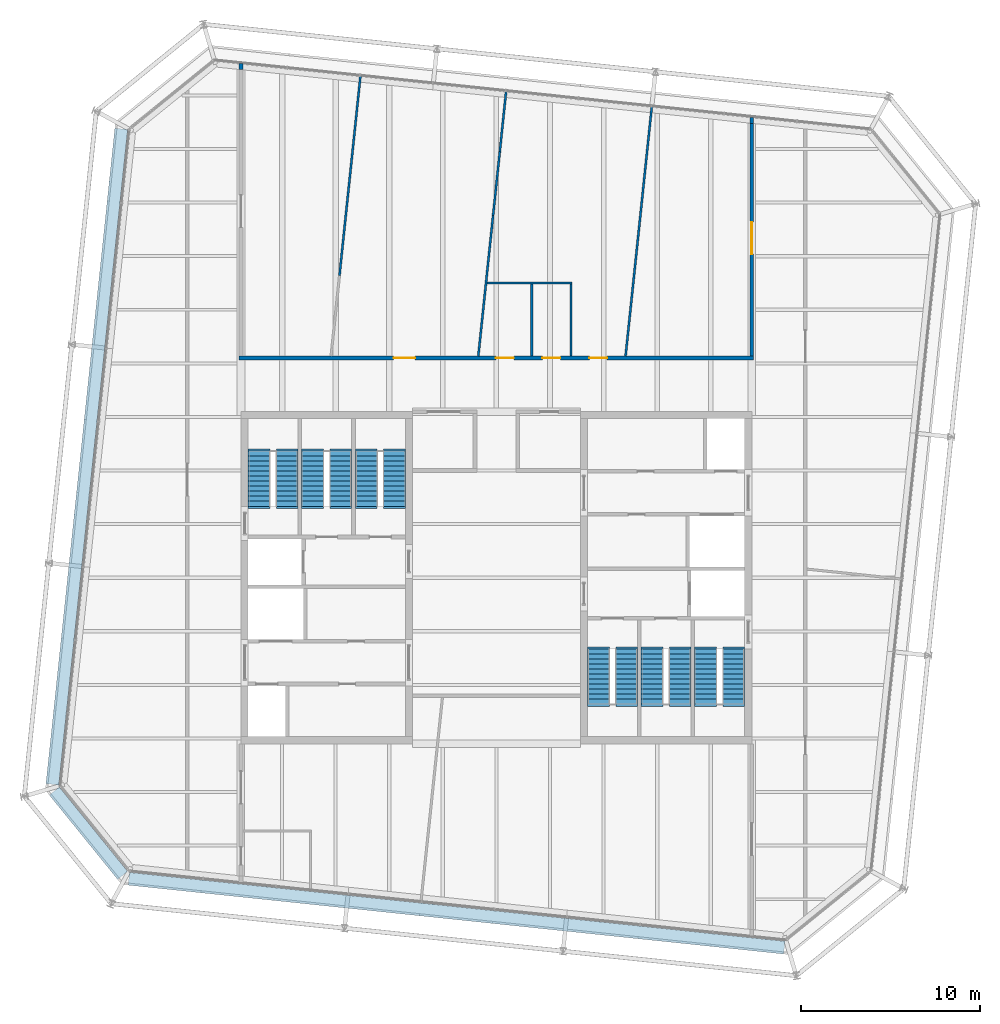
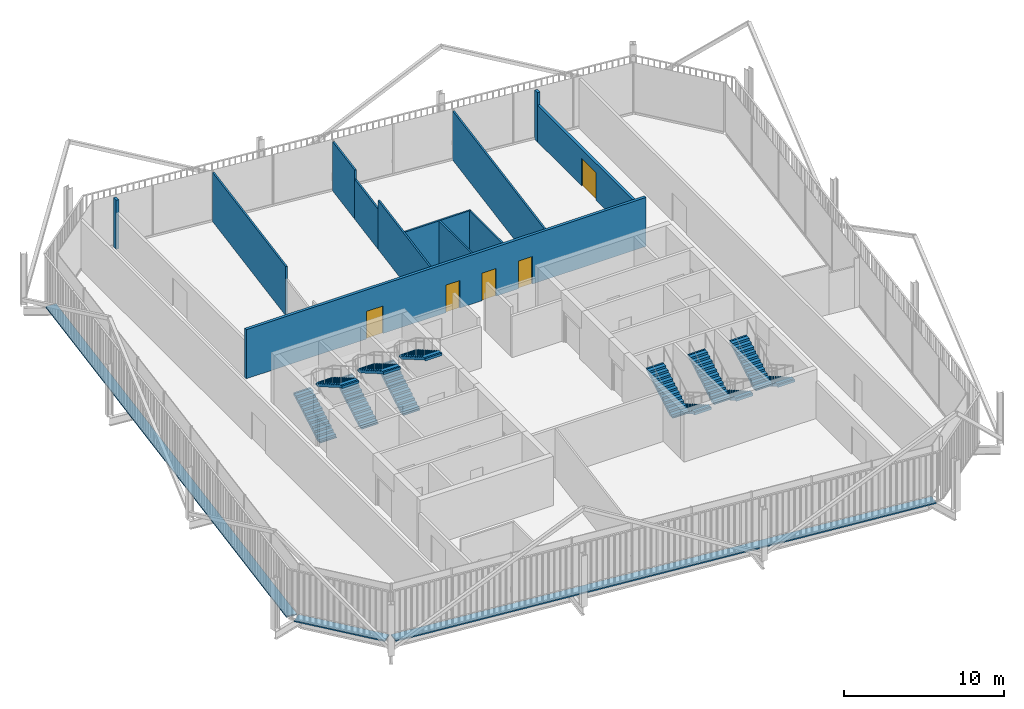
# One storey, part 19 of 21: 12 stair flights, 12 walls, 5 doors, 3 discrete accessories, 5 openings, 6 elements without a shape of their own.
"""IFC4 building model written with IfcOpenShell, lengths in metres."""

from ifc_helpers import new_model, si_unit, direction, frame, frame_2d, origin, origin_2d, place, context, subcontext, project, spatial, polyline, rectangle, outline, extrude, material, layer, layer_set, type_object, element, fill, aggregate, save


model = new_model("IFC4")

# Units and contexts
model_context = context("Model", 3, precision=1e-05, world=origin(), true_north=direction((0.0, 1.0)))
body_context = subcontext(model_context, "Body", "Model", "MODEL_VIEW")
ifc_project = project(units=[si_unit("LENGTHUNIT", "METRE"), si_unit("AREAUNIT", "SQUARE_METRE"), si_unit("VOLUMEUNIT", "CUBIC_METRE"), si_unit("PLANEANGLEUNIT", "RADIAN"), si_unit("MASSUNIT", "GRAM", prefix="KILO")], contexts=[model_context])

# Site, building, storey
site_placement = place(None, origin())
site = spatial("IfcSite", under=ifc_project, at=site_placement, CompositionType="ELEMENT")
building_placement = place(site_placement, origin())
building = spatial("IfcBuilding", under=site, at=building_placement, Name="Millrace Tower", CompositionType="ELEMENT")
storey_placement = place(building_placement, frame((0.0, 0.0, 283.800048828125)))
storey = spatial("IfcBuildingStorey", under=building, at=storey_placement, Name="L65", CompositionType="ELEMENT", Elevation=283.800048828125)

# Wall, openings, doors
ifc_material_1 = material(Name="Masonry partition, fire-rated", Category="masonry")
ifc_layer_1 = layer(ifc_material_1, 0.199951171875)
ifc_layer_set_1 = layer_set([ifc_layer_1], Name="Masonry partition, fire-rated")
wall_type_1 = type_object("IfcWallType", Name="Corridor wall 200", PredefinedType="PARTITIONING", material=ifc_layer_set_1)
wall_1_placement = place(storey_placement, frame((-14.39990234375, 12.300048828125, 0.0), z_axis=(0.0, 0.0, 1.0), x_axis=(1.0, 0.0, 0.0)))
wall_1 = element("IfcWall", 1, at=wall_1_placement, inside=storey, type_object=wall_type_1, Name="Corridor wall L65", PredefinedType="PARTITIONING", context=body_context, shape_type="SweptSolid", body=[
    extrude(rectangle(XDim=28.7998046875, YDim=0.199951171875, at=frame_2d((14.39990234375, 0.0))), origin(), (0.0, 0.0, 1.0), 3.739990234375),
])
opening_1_placement = place(wall_1_placement, frame((8.651611328125, 0.0, 0.0)))
opening_1 = element("IfcOpeningElement", 2, at=opening_1_placement, cuts=wall_1, Name="Opening 65-P005", PredefinedType="OPENING", context=body_context, shape_type="SweptSolid", body=[
    extrude(rectangle(XDim=1.199951171875, YDim=2.10009765625, at=frame_2d((0.60009765625, 1.050048828125))), frame((0.0, 0.10986328125, 0.0), z_axis=(0.0, -1.0, 0.0), x_axis=(1.0, 0.0, 0.0)), (0.0, 0.0, 1.0), 0.219970703125),
])
opening_2_placement = place(wall_1_placement, frame((19.596435546875, 0.0, 0.0)))
opening_2 = element("IfcOpeningElement", 3, at=opening_2_placement, cuts=wall_1, Name="Opening 65-P006", PredefinedType="OPENING", context=body_context, shape_type="SweptSolid", body=[
    extrude(rectangle(XDim=1.0, YDim=2.10009765625, at=frame_2d((0.5, 1.050048828125))), frame((0.0, 0.10986328125, 0.0), z_axis=(0.0, -1.0, 0.0), x_axis=(1.0, 0.0, 0.0)), (0.0, 0.0, 1.0), 0.219970703125),
])
opening_3_placement = place(wall_1_placement, frame((14.3740234375, 0.0, 0.0)))
opening_3 = element("IfcOpeningElement", 4, at=opening_3_placement, cuts=wall_1, Name="Opening 65-P007", PredefinedType="OPENING", context=body_context, shape_type="SweptSolid", body=[
    extrude(rectangle(XDim=1.0, YDim=2.10009765625, at=frame_2d((0.5, 1.050048828125))), frame((0.0, 0.10986328125, 0.0), z_axis=(0.0, -1.0, 0.0), x_axis=(1.0, 0.0, 0.0)), (0.0, 0.0, 1.0), 0.219970703125),
])
opening_4_placement = place(wall_1_placement, frame((16.97412109375, 0.0, 0.0)))
opening_4 = element("IfcOpeningElement", 5, at=opening_4_placement, cuts=wall_1, Name="Opening 65-P008", PredefinedType="OPENING", context=body_context, shape_type="SweptSolid", body=[
    extrude(rectangle(XDim=1.0, YDim=2.10009765625, at=frame_2d((0.5, 1.050048828125))), frame((0.0, 0.10986328125, 0.0), z_axis=(0.0, -1.0, 0.0), x_axis=(1.0, 0.0, 0.0)), (0.0, 0.0, 1.0), 0.219970703125),
])
ifc_material_2 = material(Name="Steel door set, fire-rated", Category="steel")
door_type_1 = type_object("IfcDoorType", Name="Corridor door 1000 x 2100", OperationType="SINGLE_SWING_LEFT", PredefinedType="DOOR", material=ifc_material_2)
door_1_placement = place(opening_2_placement, origin())
door_1 = element("IfcDoor", 6, at=door_1_placement, inside=storey, type_object=door_type_1, Name="Door 65-P006", OperationType="SINGLE_SWING_RIGHT", OverallHeight=2.10009765625, OverallWidth=1.0, PredefinedType="DOOR", context=body_context, shape_type="SweptSolid", body=[
    extrude(rectangle(XDim=1.0, YDim=2.10009765625, at=frame_2d((0.5, 1.050048828125))), frame((0.0, 0.02490234375, 0.0), z_axis=(0.0, -1.0, 0.0), x_axis=(1.0, 0.0, 0.0)), (0.0, 0.0, 1.0), 0.050048828125),
])
fill(opening_2, door_1)
door_2_placement = place(opening_3_placement, origin())
door_2 = element("IfcDoor", 7, at=door_2_placement, inside=storey, type_object=door_type_1, Name="Door 65-P007", OperationType="SINGLE_SWING_RIGHT", OverallHeight=2.10009765625, OverallWidth=1.0, PredefinedType="DOOR", context=body_context, shape_type="SweptSolid", body=[
    extrude(rectangle(XDim=1.0, YDim=2.10009765625, at=frame_2d((0.5, 1.050048828125))), frame((0.0, 0.02490234375, 0.0), z_axis=(0.0, -1.0, 0.0), x_axis=(1.0, 0.0, 0.0)), (0.0, 0.0, 1.0), 0.050048828125),
])
fill(opening_3, door_2)
door_3_placement = place(opening_4_placement, origin())
door_3 = element("IfcDoor", 8, at=door_3_placement, inside=storey, type_object=door_type_1, Name="Door 65-P008", OperationType="SINGLE_SWING_RIGHT", OverallHeight=2.10009765625, OverallWidth=1.0, PredefinedType="DOOR", context=body_context, shape_type="SweptSolid", body=[
    extrude(rectangle(XDim=1.0, YDim=2.10009765625, at=frame_2d((0.5, 1.050048828125))), frame((0.0, 0.02490234375, 0.0), z_axis=(0.0, -1.0, 0.0), x_axis=(1.0, 0.0, 0.0)), (0.0, 0.0, 1.0), 0.050048828125),
])
fill(opening_4, door_3)
ifc_material_3 = material(Name="Steel door set, fire-rated", Category="steel")
door_type_2 = type_object("IfcDoorType", Name="Corridor door 1200 x 2100", OperationType="SINGLE_SWING_LEFT", PredefinedType="DOOR", material=ifc_material_3)
door_4_placement = place(opening_1_placement, origin())
door_4 = element("IfcDoor", 9, at=door_4_placement, inside=storey, type_object=door_type_2, Name="Door 65-P005", OperationType="SINGLE_SWING_LEFT", OverallHeight=2.10009765625, OverallWidth=1.199951171875, PredefinedType="DOOR", context=body_context, shape_type="SweptSolid", body=[
    extrude(rectangle(XDim=1.199951171875, YDim=2.10009765625, at=frame_2d((0.60009765625, 1.050048828125))), frame((0.0, 0.02490234375, 0.0), z_axis=(0.0, -1.0, 0.0), x_axis=(1.0, 0.0, 0.0)), (0.0, 0.0, 1.0), 0.050048828125),
])
fill(opening_1, door_4)

# Wall, opening, door
wall_2_placement = place(storey_placement, frame((14.300048828125, 12.39990234375, 0.0), z_axis=(0.0, 0.0, 1.0), x_axis=(0.0, 1.0, 0.0)))
wall_2 = element("IfcWall", 10, at=wall_2_placement, inside=storey, type_object=wall_type_1, Name="Corridor wall L65", PredefinedType="PARTITIONING", context=body_context, shape_type="SweptSolid", body=[
    extrude(rectangle(XDim=13.034423828125, YDim=0.199951171875, at=frame_2d((6.51708984375, 0.0))), origin(), (0.0, 0.0, 1.0), 2.79248046875),
])
opening_5_placement = place(wall_2_placement, frame((5.71142578125, 0.0, 0.0)))
opening_5 = element("IfcOpeningElement", 11, at=opening_5_placement, cuts=wall_2, Name="Opening 65-P009", PredefinedType="OPENING", context=body_context, shape_type="SweptSolid", body=[
    extrude(rectangle(XDim=1.800048828125, YDim=2.10009765625, at=frame_2d((0.89990234375, 1.050048828125))), frame((0.0, 0.10986328125, 0.0), z_axis=(0.0, -1.0, 0.0), x_axis=(1.0, 0.0, 0.0)), (0.0, 0.0, 1.0), 0.219970703125),
])
ifc_material_4 = material(Name="Steel door set, fire-rated", Category="steel")
door_type_3 = type_object("IfcDoorType", Name="Corridor door 1800 x 2100", OperationType="DOUBLE_DOOR_SINGLE_SWING", PredefinedType="DOOR", material=ifc_material_4)
door_5_placement = place(opening_5_placement, origin())
door_5 = element("IfcDoor", 12, at=door_5_placement, inside=storey, type_object=door_type_3, Name="Door 65-P009", OperationType="DOUBLE_DOOR_SINGLE_SWING", OverallHeight=2.10009765625, OverallWidth=1.800048828125, PredefinedType="DOOR", context=body_context, shape_type="SweptSolid", body=[
    extrude(rectangle(XDim=1.800048828125, YDim=2.10009765625, at=frame_2d((0.89990234375, 1.050048828125))), frame((0.0, 0.02490234375, 0.0), z_axis=(0.0, -1.0, 0.0), x_axis=(1.0, 0.0, 0.0)), (0.0, 0.0, 1.0), 0.050048828125),
])
fill(opening_5, door_5)

# Walls
wall_3_placement = place(storey_placement, frame((14.300048828125, 25.434326171875, 0.0), z_axis=(0.0, 0.0, 1.0), x_axis=(0.0, 1.0, 0.0)))
element("IfcWall", 13, at=wall_3_placement, inside=storey, type_object=wall_type_1, Name="Corridor wall L65", PredefinedType="PARTITIONING", context=body_context, shape_type="SweptSolid", body=[
    extrude(rectangle(XDim=0.339111328125, YDim=0.199951171875, at=frame_2d((0.16943359375, 0.0))), origin(), (0.0, 0.0, 1.0), 3.739990234375),
])
wall_4_placement = place(storey_placement, frame((-14.300048828125, 28.440185546875, 0.0), z_axis=(0.0, 0.0, 1.0), x_axis=(0.0, 1.0, 0.0)))
element("IfcWall", 14, at=wall_4_placement, inside=storey, type_object=wall_type_1, Name="Corridor wall L65", PredefinedType="PARTITIONING", context=body_context, shape_type="SweptSolid", body=[
    extrude(rectangle(XDim=0.33935546875, YDim=0.199951171875, at=frame_2d((0.169677734375, 0.0))), origin(), (0.0, 0.0, 1.0), 3.739990234375),
])
ifc_material_5 = material(Name="Gypsum board partition")
ifc_layer_2 = layer(ifc_material_5, 0.1201171875)
ifc_layer_set_2 = layer_set([ifc_layer_2], Name="Gypsum board partition")
wall_type_2 = type_object("IfcWallType", Name="Partition wall 120", PredefinedType="PARTITIONING", material=ifc_layer_set_2)
wall_5_placement = place(storey_placement, frame((-0.52392578125, 16.5, 0.0), z_axis=(0.0, 0.0, 1.0), x_axis=(1.0, 0.0, 0.0)))
element("IfcWall", 15, at=wall_5_placement, inside=storey, type_object=wall_type_2, Name="Partition wall L65", PredefinedType="PARTITIONING", context=body_context, shape_type="SweptSolid", body=[
    extrude(rectangle(XDim=4.7578125, YDim=0.1201171875, at=frame_2d((2.37890625, 0.0))), origin(), (0.0, 0.0, 1.0), 3.739990234375),
])
wall_6_placement = place(storey_placement, frame((7.2294921875, 12.3994140625, 0.0), z_axis=(0.0, 0.0, 1.0), x_axis=(0.104543574031, 0.994520307047, 0.0)))
element("IfcWall", 16, at=wall_6_placement, inside=storey, type_object=wall_type_2, Name="Partition wall L65", PredefinedType="PARTITIONING", context=body_context, shape_type="SweptSolid", body=[
    extrude(rectangle(XDim=14.039794921875, YDim=0.1201171875, at=frame_2d((7.02001953125, 0.0))), origin(), (0.0, 0.0, 1.0), 3.739990234375),
])
wall_7_placement = place(storey_placement, frame((-1.014892578125, 12.3994140625, 0.0), z_axis=(0.0, 0.0, 1.0), x_axis=(0.104490466959, 0.994525888207, 0.0)))
element("IfcWall", 17, at=wall_7_placement, inside=storey, type_object=wall_type_2, Name="Partition wall L65", PredefinedType="PARTITIONING", context=body_context, shape_type="SweptSolid", body=[
    extrude(rectangle(XDim=7.91357421875, YDim=0.1201171875, at=frame_2d((3.956787109375, 0.0))), origin(), (0.0, 0.0, 1.0), 3.739990234375),
])
wall_8_placement = place(storey_placement, frame((-0.18798828125, 20.269775390625, 0.0), z_axis=(0.0, 0.0, 1.0), x_axis=(0.104508154604, 0.994524029685, 0.0)))
element("IfcWall", 18, at=wall_8_placement, inside=storey, type_object=wall_type_2, Name="Partition wall L65", PredefinedType="PARTITIONING", context=body_context, shape_type="SweptSolid", body=[
    extrude(rectangle(XDim=3.59765625, YDim=0.1201171875, at=frame_2d((1.798828125, 0.0))), origin(), (0.0, 0.0, 1.0), 3.046630859375),
])
wall_9_placement = place(storey_placement, frame((0.18798828125, 23.84765625, 0.0), z_axis=(0.0, 0.0, 1.0), x_axis=(0.104486114496, 0.994526345492, 0.0)))
element("IfcWall", 19, at=wall_9_placement, inside=storey, type_object=wall_type_2, Name="Partition wall L65", PredefinedType="PARTITIONING", context=body_context, shape_type="SweptSolid", body=[
    extrude(rectangle(XDim=3.390380859375, YDim=0.1201171875, at=frame_2d((1.6953125, 0.0))), origin(), (0.0, 0.0, 1.0), 3.739990234375),
])
wall_10_placement = place(storey_placement, frame((-8.78662109375, 16.908203125, 0.0), z_axis=(0.0, 0.0, 1.0), x_axis=(0.104526348567, 0.99452211763, 0.0)))
element("IfcWall", 20, at=wall_10_placement, inside=storey, type_object=wall_type_2, Name="Partition wall L65", PredefinedType="PARTITIONING", context=body_context, shape_type="SweptSolid", body=[
    extrude(rectangle(XDim=11.22998046875, YDim=0.1201171875, at=frame_2d((5.614990234375, 0.0))), origin(), (0.0, 0.0, 1.0), 3.739990234375),
])
for number, where, z_axis, x_axis, name in (
    (21, (4.174072265625, 12.39990234375, 0.0), (0.0, 0.0, 1.0), (0.0, 1.0, 0.0), "Partition wall L65"),
    (22, (1.97412109375, 12.39990234375, 0.0), (0.0, 0.0, 1.0), (0.0, 1.0, 0.0), "Partition wall L65"),
):
    element("IfcWall", number, at=place(storey_placement, frame(where, z_axis=z_axis, x_axis=x_axis)), inside=storey, type_object=wall_type_2, Name=name, PredefinedType="PARTITIONING", context=body_context, shape_type="SweptSolid", body=[
        extrude(rectangle(XDim=4.0400390625, YDim=0.1201171875, at=frame_2d((2.02001953125, 0.0))), origin(), (0.0, 0.0, 1.0), 3.739990234375),
    ])

# Stair, stair flights
ifc_material_6 = material(Name="Concrete C35", Category="concrete")
stair_type = type_object("IfcStairType", Name="Exit stair", PredefinedType="HALF_TURN_STAIR", material=ifc_material_6)
placement = place(storey_placement, origin())
stair_1 = element("IfcStair", 23, at=placement, inside=storey, type_object=stair_type, Name="Stair 1 W L65", PredefinedType="HALF_TURN_STAIR")
ifc_material_7 = material(Name="Concrete C35", Category="concrete")
stair_flight_type = type_object("IfcStairFlightType", Name="Exit stair flight", PredefinedType="STRAIGHT", material=ifc_material_7)
stair_flight_1_placement = place(storey_placement, frame((-13.2900390625, 4.0, 0.0), z_axis=(0.0, 0.0, 1.0), x_axis=(0.0, 1.0, 0.0)))
stair_flight_1 = element("IfcStairFlight", 24, at=stair_flight_1_placement, type_object=stair_flight_type, Name="ST12 flight 1", NumberOfRisers=12, NumberOfTreads=11, PredefinedType="STRAIGHT", RiserHeight=0.1625, TreadLength=0.28, context=body_context, shape_type="SweptSolid", body=[
    extrude(outline(polyline([(-0.1201171875, -0.0400390625), (-0.1201171875, 0.0), (0.0, 0.0), (0.0, 0.16259765625), (0.280029296875, 0.16259765625), (0.280029296875, 0.324951171875), (0.56005859375, 0.324951171875), (0.56005859375, 0.487548828125), (0.840087890625, 0.487548828125), (0.840087890625, 0.64990234375), (1.1201171875, 0.64990234375), (1.1201171875, 0.8125), (1.39990234375, 0.8125), (1.39990234375, 0.97509765625), (1.679931640625, 0.97509765625), (1.679931640625, 1.137451171875), (1.9599609375, 1.137451171875), (1.9599609375, 1.300048828125), (2.239990234375, 1.300048828125), (2.239990234375, 1.46240234375), (2.52001953125, 1.46240234375), (2.52001953125, 1.625), (2.800048828125, 1.625), (2.800048828125, 1.78759765625), (3.080078125, 1.78759765625), (3.080078125, 1.8076171875), (3.199951171875, 1.8076171875), (3.199951171875, 1.6142578125), (3.080078125, 1.6142578125), (0.298583984375, 0.0), (0.298583984375, -0.0400390625), (-0.1201171875, -0.0400390625)])), frame((0.0, 0.60986328125, 0.0), z_axis=(0.0, -1.0, 0.0), x_axis=(1.0, 0.0, 0.0)), (0.0, 0.0, 1.0), 1.219970703125),
])
stair_flight_2_placement = place(storey_placement, frame((-11.7099609375, 7.080078125, 1.949951171875), z_axis=(0.0, 0.0, 1.0), x_axis=(0.0, -1.0, 0.0)))
stair_flight_2 = element("IfcStairFlight", 25, at=stair_flight_2_placement, type_object=stair_flight_type, Name="ST12 flight 2", NumberOfRisers=12, NumberOfTreads=11, PredefinedType="STRAIGHT", RiserHeight=0.1625, TreadLength=0.28, context=body_context, shape_type="SweptSolid", body=[
    extrude(outline(polyline([(-0.1201171875, -0.0400390625), (-0.1201171875, 0.0), (0.0, 0.0), (0.0, 0.16259765625), (0.280029296875, 0.16259765625), (0.280029296875, 0.324951171875), (0.56005859375, 0.324951171875), (0.56005859375, 0.487548828125), (0.840087890625, 0.487548828125), (0.840087890625, 0.64990234375), (1.1201171875, 0.64990234375), (1.1201171875, 0.8125), (1.39990234375, 0.8125), (1.39990234375, 0.97509765625), (1.679931640625, 0.97509765625), (1.679931640625, 1.137451171875), (1.9599609375, 1.137451171875), (1.9599609375, 1.300048828125), (2.239990234375, 1.300048828125), (2.239990234375, 1.46240234375), (2.52001953125, 1.46240234375), (2.52001953125, 1.625), (2.800048828125, 1.625), (2.800048828125, 1.78759765625), (3.080078125, 1.78759765625), (3.080078125, 1.8076171875), (3.199951171875, 1.8076171875), (3.199951171875, 1.6142578125), (3.080078125, 1.6142578125), (0.298583984375, 0.0), (0.298583984375, -0.0400390625), (-0.1201171875, -0.0400390625)])), frame((0.0, 0.60986328125, 0.0), z_axis=(0.0, -1.0, 0.0), x_axis=(1.0, 0.0, 0.0)), (0.0, 0.0, 1.0), 1.219970703125),
])
aggregate(stair_1, [stair_flight_1, stair_flight_2])

stair_2 = element("IfcStair", 26, at=placement, inside=storey, type_object=stair_type, Name="Stair 2 W L65", PredefinedType="HALF_TURN_STAIR")
stair_flight_3_placement = place(storey_placement, frame((-10.2900390625, 4.0, 0.0), z_axis=(0.0, 0.0, 1.0), x_axis=(0.0, 1.0, 0.0)))
stair_flight_3 = element("IfcStairFlight", 27, at=stair_flight_3_placement, type_object=stair_flight_type, Name="ST12 flight 1", NumberOfRisers=12, NumberOfTreads=11, PredefinedType="STRAIGHT", RiserHeight=0.1625, TreadLength=0.28, context=body_context, shape_type="SweptSolid", body=[
    extrude(outline(polyline([(-0.1201171875, -0.0400390625), (-0.1201171875, 0.0), (0.0, 0.0), (0.0, 0.16259765625), (0.280029296875, 0.16259765625), (0.280029296875, 0.324951171875), (0.56005859375, 0.324951171875), (0.56005859375, 0.487548828125), (0.840087890625, 0.487548828125), (0.840087890625, 0.64990234375), (1.1201171875, 0.64990234375), (1.1201171875, 0.8125), (1.39990234375, 0.8125), (1.39990234375, 0.97509765625), (1.679931640625, 0.97509765625), (1.679931640625, 1.137451171875), (1.9599609375, 1.137451171875), (1.9599609375, 1.300048828125), (2.239990234375, 1.300048828125), (2.239990234375, 1.46240234375), (2.52001953125, 1.46240234375), (2.52001953125, 1.625), (2.800048828125, 1.625), (2.800048828125, 1.78759765625), (3.080078125, 1.78759765625), (3.080078125, 1.8076171875), (3.199951171875, 1.8076171875), (3.199951171875, 1.6142578125), (3.080078125, 1.6142578125), (0.298583984375, 0.0), (0.298583984375, -0.0400390625), (-0.1201171875, -0.0400390625)])), frame((0.0, 0.60986328125, 0.0), z_axis=(0.0, -1.0, 0.0), x_axis=(1.0, 0.0, 0.0)), (0.0, 0.0, 1.0), 1.219970703125),
])
stair_flight_4_placement = place(storey_placement, frame((-8.7099609375, 7.080078125, 1.949951171875), z_axis=(0.0, 0.0, 1.0), x_axis=(0.0, -1.0, 0.0)))
stair_flight_4 = element("IfcStairFlight", 28, at=stair_flight_4_placement, type_object=stair_flight_type, Name="ST12 flight 2", NumberOfRisers=12, NumberOfTreads=11, PredefinedType="STRAIGHT", RiserHeight=0.1625, TreadLength=0.28, context=body_context, shape_type="SweptSolid", body=[
    extrude(outline(polyline([(-0.1201171875, -0.0400390625), (-0.1201171875, 0.0), (0.0, 0.0), (0.0, 0.16259765625), (0.280029296875, 0.16259765625), (0.280029296875, 0.324951171875), (0.56005859375, 0.324951171875), (0.56005859375, 0.487548828125), (0.840087890625, 0.487548828125), (0.840087890625, 0.64990234375), (1.1201171875, 0.64990234375), (1.1201171875, 0.8125), (1.39990234375, 0.8125), (1.39990234375, 0.97509765625), (1.679931640625, 0.97509765625), (1.679931640625, 1.137451171875), (1.9599609375, 1.137451171875), (1.9599609375, 1.300048828125), (2.239990234375, 1.300048828125), (2.239990234375, 1.46240234375), (2.52001953125, 1.46240234375), (2.52001953125, 1.625), (2.800048828125, 1.625), (2.800048828125, 1.78759765625), (3.080078125, 1.78759765625), (3.080078125, 1.8076171875), (3.199951171875, 1.8076171875), (3.199951171875, 1.6142578125), (3.080078125, 1.6142578125), (0.298583984375, 0.0), (0.298583984375, -0.0400390625), (-0.1201171875, -0.0400390625)])), frame((0.0, 0.60986328125, 0.0), z_axis=(0.0, -1.0, 0.0), x_axis=(1.0, 0.0, 0.0)), (0.0, 0.0, 1.0), 1.219970703125),
])
aggregate(stair_2, [stair_flight_3, stair_flight_4])

stair_3 = element("IfcStair", 29, at=placement, inside=storey, type_object=stair_type, Name="Stair 3 W L65", PredefinedType="HALF_TURN_STAIR")
stair_flight_5_placement = place(storey_placement, frame((-7.2900390625, 4.0, 0.0), z_axis=(0.0, 0.0, 1.0), x_axis=(0.0, 1.0, 0.0)))
stair_flight_5 = element("IfcStairFlight", 30, at=stair_flight_5_placement, type_object=stair_flight_type, Name="ST12 flight 1", NumberOfRisers=12, NumberOfTreads=11, PredefinedType="STRAIGHT", RiserHeight=0.1625, TreadLength=0.28, context=body_context, shape_type="SweptSolid", body=[
    extrude(outline(polyline([(-0.1201171875, -0.0400390625), (-0.1201171875, 0.0), (0.0, 0.0), (0.0, 0.16259765625), (0.280029296875, 0.16259765625), (0.280029296875, 0.324951171875), (0.56005859375, 0.324951171875), (0.56005859375, 0.487548828125), (0.840087890625, 0.487548828125), (0.840087890625, 0.64990234375), (1.1201171875, 0.64990234375), (1.1201171875, 0.8125), (1.39990234375, 0.8125), (1.39990234375, 0.97509765625), (1.679931640625, 0.97509765625), (1.679931640625, 1.137451171875), (1.9599609375, 1.137451171875), (1.9599609375, 1.300048828125), (2.239990234375, 1.300048828125), (2.239990234375, 1.46240234375), (2.52001953125, 1.46240234375), (2.52001953125, 1.625), (2.800048828125, 1.625), (2.800048828125, 1.78759765625), (3.080078125, 1.78759765625), (3.080078125, 1.8076171875), (3.199951171875, 1.8076171875), (3.199951171875, 1.6142578125), (3.080078125, 1.6142578125), (0.298583984375, 0.0), (0.298583984375, -0.0400390625), (-0.1201171875, -0.0400390625)])), frame((0.0, 0.60986328125, 0.0), z_axis=(0.0, -1.0, 0.0), x_axis=(1.0, 0.0, 0.0)), (0.0, 0.0, 1.0), 1.219970703125),
])
stair_flight_6_placement = place(storey_placement, frame((-5.7099609375, 7.080078125, 1.949951171875), z_axis=(0.0, 0.0, 1.0), x_axis=(0.0, -1.0, 0.0)))
stair_flight_6 = element("IfcStairFlight", 31, at=stair_flight_6_placement, type_object=stair_flight_type, Name="ST12 flight 2", NumberOfRisers=12, NumberOfTreads=11, PredefinedType="STRAIGHT", RiserHeight=0.1625, TreadLength=0.28, context=body_context, shape_type="SweptSolid", body=[
    extrude(outline(polyline([(-0.1201171875, -0.0400390625), (-0.1201171875, 0.0), (0.0, 0.0), (0.0, 0.16259765625), (0.280029296875, 0.16259765625), (0.280029296875, 0.324951171875), (0.56005859375, 0.324951171875), (0.56005859375, 0.487548828125), (0.840087890625, 0.487548828125), (0.840087890625, 0.64990234375), (1.1201171875, 0.64990234375), (1.1201171875, 0.8125), (1.39990234375, 0.8125), (1.39990234375, 0.97509765625), (1.679931640625, 0.97509765625), (1.679931640625, 1.137451171875), (1.9599609375, 1.137451171875), (1.9599609375, 1.300048828125), (2.239990234375, 1.300048828125), (2.239990234375, 1.46240234375), (2.52001953125, 1.46240234375), (2.52001953125, 1.625), (2.800048828125, 1.625), (2.800048828125, 1.78759765625), (3.080078125, 1.78759765625), (3.080078125, 1.8076171875), (3.199951171875, 1.8076171875), (3.199951171875, 1.6142578125), (3.080078125, 1.6142578125), (0.298583984375, 0.0), (0.298583984375, -0.0400390625), (-0.1201171875, -0.0400390625)])), frame((0.0, 0.60986328125, 0.0), z_axis=(0.0, -1.0, 0.0), x_axis=(1.0, 0.0, 0.0)), (0.0, 0.0, 1.0), 1.219970703125),
])
aggregate(stair_3, [stair_flight_5, stair_flight_6])

stair_4 = element("IfcStair", 32, at=placement, inside=storey, type_object=stair_type, Name="Stair 1 E L65", PredefinedType="HALF_TURN_STAIR")
stair_flight_7_placement = place(storey_placement, frame((13.2900390625, -4.0, 0.0), z_axis=(0.0, 0.0, 1.0), x_axis=(0.0, -1.0, 0.0)))
stair_flight_7 = element("IfcStairFlight", 33, at=stair_flight_7_placement, type_object=stair_flight_type, Name="ST12 flight 1", NumberOfRisers=12, NumberOfTreads=11, PredefinedType="STRAIGHT", RiserHeight=0.1625, TreadLength=0.28, context=body_context, shape_type="SweptSolid", body=[
    extrude(outline(polyline([(-0.1201171875, -0.0400390625), (-0.1201171875, 0.0), (0.0, 0.0), (0.0, 0.16259765625), (0.280029296875, 0.16259765625), (0.280029296875, 0.324951171875), (0.56005859375, 0.324951171875), (0.56005859375, 0.487548828125), (0.840087890625, 0.487548828125), (0.840087890625, 0.64990234375), (1.1201171875, 0.64990234375), (1.1201171875, 0.8125), (1.39990234375, 0.8125), (1.39990234375, 0.97509765625), (1.679931640625, 0.97509765625), (1.679931640625, 1.137451171875), (1.9599609375, 1.137451171875), (1.9599609375, 1.300048828125), (2.239990234375, 1.300048828125), (2.239990234375, 1.46240234375), (2.52001953125, 1.46240234375), (2.52001953125, 1.625), (2.800048828125, 1.625), (2.800048828125, 1.78759765625), (3.080078125, 1.78759765625), (3.080078125, 1.8076171875), (3.199951171875, 1.8076171875), (3.199951171875, 1.6142578125), (3.080078125, 1.6142578125), (0.298583984375, 0.0), (0.298583984375, -0.0400390625), (-0.1201171875, -0.0400390625)])), frame((0.0, 0.60986328125, 0.0), z_axis=(0.0, -1.0, 0.0), x_axis=(1.0, 0.0, 0.0)), (0.0, 0.0, 1.0), 1.219970703125),
])
stair_flight_8_placement = place(storey_placement, frame((11.7099609375, -7.080078125, 1.949951171875), z_axis=(0.0, 0.0, 1.0), x_axis=(0.0, 1.0, 0.0)))
stair_flight_8 = element("IfcStairFlight", 34, at=stair_flight_8_placement, type_object=stair_flight_type, Name="ST12 flight 2", NumberOfRisers=12, NumberOfTreads=11, PredefinedType="STRAIGHT", RiserHeight=0.1625, TreadLength=0.28, context=body_context, shape_type="SweptSolid", body=[
    extrude(outline(polyline([(-0.1201171875, -0.0400390625), (-0.1201171875, 0.0), (0.0, 0.0), (0.0, 0.16259765625), (0.280029296875, 0.16259765625), (0.280029296875, 0.324951171875), (0.56005859375, 0.324951171875), (0.56005859375, 0.487548828125), (0.840087890625, 0.487548828125), (0.840087890625, 0.64990234375), (1.1201171875, 0.64990234375), (1.1201171875, 0.8125), (1.39990234375, 0.8125), (1.39990234375, 0.97509765625), (1.679931640625, 0.97509765625), (1.679931640625, 1.137451171875), (1.9599609375, 1.137451171875), (1.9599609375, 1.300048828125), (2.239990234375, 1.300048828125), (2.239990234375, 1.46240234375), (2.52001953125, 1.46240234375), (2.52001953125, 1.625), (2.800048828125, 1.625), (2.800048828125, 1.78759765625), (3.080078125, 1.78759765625), (3.080078125, 1.8076171875), (3.199951171875, 1.8076171875), (3.199951171875, 1.6142578125), (3.080078125, 1.6142578125), (0.298583984375, 0.0), (0.298583984375, -0.0400390625), (-0.1201171875, -0.0400390625)])), frame((0.0, 0.60986328125, 0.0), z_axis=(0.0, -1.0, 0.0), x_axis=(1.0, 0.0, 0.0)), (0.0, 0.0, 1.0), 1.219970703125),
])
aggregate(stair_4, [stair_flight_7, stair_flight_8])

stair_5 = element("IfcStair", 35, at=placement, inside=storey, type_object=stair_type, Name="Stair 2 E L65", PredefinedType="HALF_TURN_STAIR")
stair_flight_9_placement = place(storey_placement, frame((10.2900390625, -4.0, 0.0), z_axis=(0.0, 0.0, 1.0), x_axis=(0.0, -1.0, 0.0)))
stair_flight_9 = element("IfcStairFlight", 36, at=stair_flight_9_placement, type_object=stair_flight_type, Name="ST12 flight 1", NumberOfRisers=12, NumberOfTreads=11, PredefinedType="STRAIGHT", RiserHeight=0.1625, TreadLength=0.28, context=body_context, shape_type="SweptSolid", body=[
    extrude(outline(polyline([(-0.1201171875, -0.0400390625), (-0.1201171875, 0.0), (0.0, 0.0), (0.0, 0.16259765625), (0.280029296875, 0.16259765625), (0.280029296875, 0.324951171875), (0.56005859375, 0.324951171875), (0.56005859375, 0.487548828125), (0.840087890625, 0.487548828125), (0.840087890625, 0.64990234375), (1.1201171875, 0.64990234375), (1.1201171875, 0.8125), (1.39990234375, 0.8125), (1.39990234375, 0.97509765625), (1.679931640625, 0.97509765625), (1.679931640625, 1.137451171875), (1.9599609375, 1.137451171875), (1.9599609375, 1.300048828125), (2.239990234375, 1.300048828125), (2.239990234375, 1.46240234375), (2.52001953125, 1.46240234375), (2.52001953125, 1.625), (2.800048828125, 1.625), (2.800048828125, 1.78759765625), (3.080078125, 1.78759765625), (3.080078125, 1.8076171875), (3.199951171875, 1.8076171875), (3.199951171875, 1.6142578125), (3.080078125, 1.6142578125), (0.298583984375, 0.0), (0.298583984375, -0.0400390625), (-0.1201171875, -0.0400390625)])), frame((0.0, 0.60986328125, 0.0), z_axis=(0.0, -1.0, 0.0), x_axis=(1.0, 0.0, 0.0)), (0.0, 0.0, 1.0), 1.219970703125),
])
stair_flight_10_placement = place(storey_placement, frame((8.7099609375, -7.080078125, 1.949951171875), z_axis=(0.0, 0.0, 1.0), x_axis=(0.0, 1.0, 0.0)))
stair_flight_10 = element("IfcStairFlight", 37, at=stair_flight_10_placement, type_object=stair_flight_type, Name="ST12 flight 2", NumberOfRisers=12, NumberOfTreads=11, PredefinedType="STRAIGHT", RiserHeight=0.1625, TreadLength=0.28, context=body_context, shape_type="SweptSolid", body=[
    extrude(outline(polyline([(-0.1201171875, -0.0400390625), (-0.1201171875, 0.0), (0.0, 0.0), (0.0, 0.16259765625), (0.280029296875, 0.16259765625), (0.280029296875, 0.324951171875), (0.56005859375, 0.324951171875), (0.56005859375, 0.487548828125), (0.840087890625, 0.487548828125), (0.840087890625, 0.64990234375), (1.1201171875, 0.64990234375), (1.1201171875, 0.8125), (1.39990234375, 0.8125), (1.39990234375, 0.97509765625), (1.679931640625, 0.97509765625), (1.679931640625, 1.137451171875), (1.9599609375, 1.137451171875), (1.9599609375, 1.300048828125), (2.239990234375, 1.300048828125), (2.239990234375, 1.46240234375), (2.52001953125, 1.46240234375), (2.52001953125, 1.625), (2.800048828125, 1.625), (2.800048828125, 1.78759765625), (3.080078125, 1.78759765625), (3.080078125, 1.8076171875), (3.199951171875, 1.8076171875), (3.199951171875, 1.6142578125), (3.080078125, 1.6142578125), (0.298583984375, 0.0), (0.298583984375, -0.0400390625), (-0.1201171875, -0.0400390625)])), frame((0.0, 0.60986328125, 0.0), z_axis=(0.0, -1.0, 0.0), x_axis=(1.0, 0.0, 0.0)), (0.0, 0.0, 1.0), 1.219970703125),
])
aggregate(stair_5, [stair_flight_9, stair_flight_10])

stair_6 = element("IfcStair", 38, at=placement, inside=storey, type_object=stair_type, Name="Stair 3 E L65", PredefinedType="HALF_TURN_STAIR")
stair_flight_11_placement = place(storey_placement, frame((7.2900390625, -4.0, 0.0), z_axis=(0.0, 0.0, 1.0), x_axis=(0.0, -1.0, 0.0)))
stair_flight_11 = element("IfcStairFlight", 39, at=stair_flight_11_placement, type_object=stair_flight_type, Name="ST12 flight 1", NumberOfRisers=12, NumberOfTreads=11, PredefinedType="STRAIGHT", RiserHeight=0.1625, TreadLength=0.28, context=body_context, shape_type="SweptSolid", body=[
    extrude(outline(polyline([(-0.1201171875, -0.0400390625), (-0.1201171875, 0.0), (0.0, 0.0), (0.0, 0.16259765625), (0.280029296875, 0.16259765625), (0.280029296875, 0.324951171875), (0.56005859375, 0.324951171875), (0.56005859375, 0.487548828125), (0.840087890625, 0.487548828125), (0.840087890625, 0.64990234375), (1.1201171875, 0.64990234375), (1.1201171875, 0.8125), (1.39990234375, 0.8125), (1.39990234375, 0.97509765625), (1.679931640625, 0.97509765625), (1.679931640625, 1.137451171875), (1.9599609375, 1.137451171875), (1.9599609375, 1.300048828125), (2.239990234375, 1.300048828125), (2.239990234375, 1.46240234375), (2.52001953125, 1.46240234375), (2.52001953125, 1.625), (2.800048828125, 1.625), (2.800048828125, 1.78759765625), (3.080078125, 1.78759765625), (3.080078125, 1.8076171875), (3.199951171875, 1.8076171875), (3.199951171875, 1.6142578125), (3.080078125, 1.6142578125), (0.298583984375, 0.0), (0.298583984375, -0.0400390625), (-0.1201171875, -0.0400390625)])), frame((0.0, 0.60986328125, 0.0), z_axis=(0.0, -1.0, 0.0), x_axis=(1.0, 0.0, 0.0)), (0.0, 0.0, 1.0), 1.219970703125),
])
stair_flight_12_placement = place(storey_placement, frame((5.7099609375, -7.080078125, 1.949951171875), z_axis=(0.0, 0.0, 1.0), x_axis=(0.0, 1.0, 0.0)))
stair_flight_12 = element("IfcStairFlight", 40, at=stair_flight_12_placement, type_object=stair_flight_type, Name="ST12 flight 2", NumberOfRisers=12, NumberOfTreads=11, PredefinedType="STRAIGHT", RiserHeight=0.1625, TreadLength=0.28, context=body_context, shape_type="SweptSolid", body=[
    extrude(outline(polyline([(-0.1201171875, -0.0400390625), (-0.1201171875, 0.0), (0.0, 0.0), (0.0, 0.16259765625), (0.280029296875, 0.16259765625), (0.280029296875, 0.324951171875), (0.56005859375, 0.324951171875), (0.56005859375, 0.487548828125), (0.840087890625, 0.487548828125), (0.840087890625, 0.64990234375), (1.1201171875, 0.64990234375), (1.1201171875, 0.8125), (1.39990234375, 0.8125), (1.39990234375, 0.97509765625), (1.679931640625, 0.97509765625), (1.679931640625, 1.137451171875), (1.9599609375, 1.137451171875), (1.9599609375, 1.300048828125), (2.239990234375, 1.300048828125), (2.239990234375, 1.46240234375), (2.52001953125, 1.46240234375), (2.52001953125, 1.625), (2.800048828125, 1.625), (2.800048828125, 1.78759765625), (3.080078125, 1.78759765625), (3.080078125, 1.8076171875), (3.199951171875, 1.8076171875), (3.199951171875, 1.6142578125), (3.080078125, 1.6142578125), (0.298583984375, 0.0), (0.298583984375, -0.0400390625), (-0.1201171875, -0.0400390625)])), frame((0.0, 0.60986328125, 0.0), z_axis=(0.0, -1.0, 0.0), x_axis=(1.0, 0.0, 0.0)), (0.0, 0.0, 1.0), 1.219970703125),
])
aggregate(stair_6, [stair_flight_11, stair_flight_12])

# Discrete accessories
ifc_material_8 = material(Name="Stainless steel ASTM A240 type 316", Category="steel")
discrete_accessory_type = type_object("IfcDiscreteAccessoryType", Name="Thermally broken screen support rail", PredefinedType="BRACKET", material=ifc_material_8)
discrete_accessory_placement = place(storey_placement, frame((-22.836669921875, -14.304931640625, 0.0), z_axis=(0.0, 0.0, 1.0), x_axis=(0.629320278945, -0.777146052237, 0.0)))
element("IfcDiscreteAccessory", 41, at=discrete_accessory_placement, inside=storey, type_object=discrete_accessory_type, Name="Thermally broken screen support rail E-F01 L65 1", PredefinedType="BRACKET", context=body_context, shape_type="SweptSolid", body=[
    extrude(rectangle(XDim=6.0810546875, YDim=0.719970703125, at=origin_2d()), origin(), (0.0, 0.0, 1.0), 0.10009765625),
])
for number, where, z_axis, x_axis, name in (
    (42, (-2.2314453125, -18.782470703125, 0.0), (0.0, 0.0, 1.0), (0.994521896217, -0.104528455196, 0.0), "Thermally broken screen support rail E-F02 L65 1"),
    (43, (-22.9326171875, 6.78125, 0.0), (0.0, 0.0, 1.0), (-0.104528455196, -0.994521896217, 0.0), "Thermally broken screen support rail E-F08 L65 1"),
):
    element("IfcDiscreteAccessory", number, at=place(storey_placement, frame(where, z_axis=z_axis, x_axis=x_axis)), inside=storey, type_object=discrete_accessory_type, Name=name, PredefinedType="BRACKET", context=body_context, shape_type="SweptSolid", body=[
        extrude(rectangle(XDim=36.89990234375, YDim=0.719970703125, at=origin_2d()), origin(), (0.0, 0.0, 1.0), 0.10009765625),
    ])

save(model, "model.ifc")
